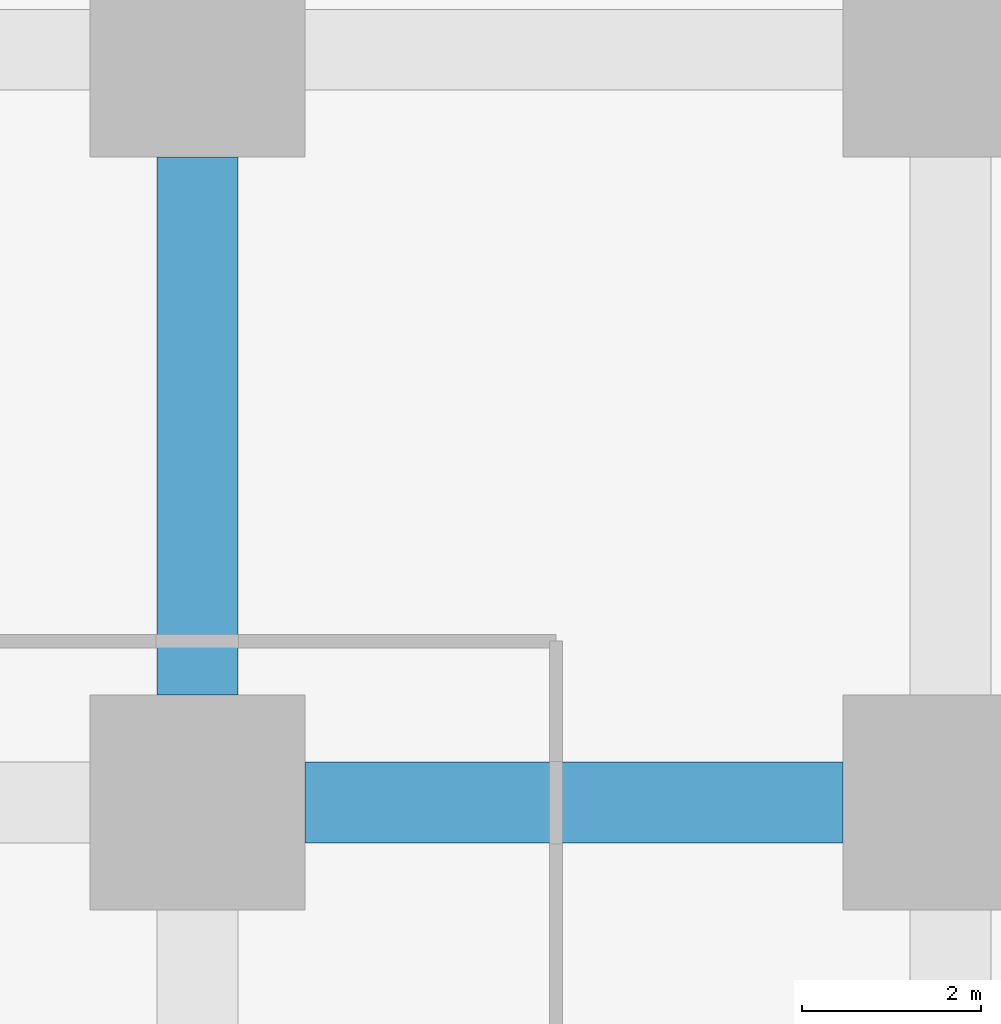
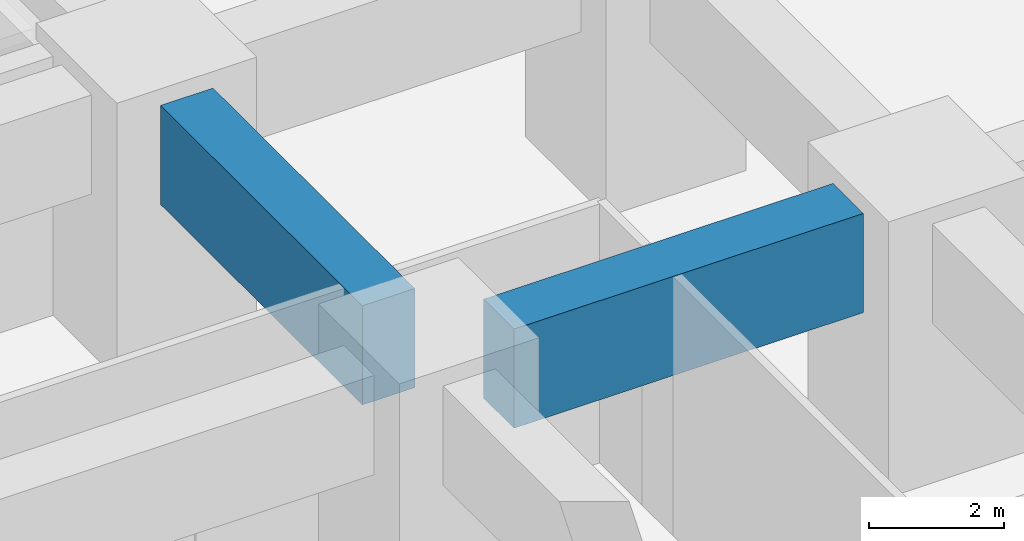
# One storey, part 10 of 48: 2 beams.
"""IFC4 building model written with IfcOpenShell, lengths in metres."""

from ifc_helpers import new_model, si_unit, direction, frame, origin, origin_2d, place, context, subcontext, project, spatial, rectangle, extrude, material, material_profile, profile_set, type_object, element, save


model = new_model("IFC4")

# Units and contexts
model_context = context("Model", 3, precision=1e-05, world=origin(), true_north=direction((0.0, 1.0)))
body_context = subcontext(model_context, "Body", "Model", "MODEL_VIEW")
ifc_project = project(units=[si_unit("LENGTHUNIT", "METRE"), si_unit("AREAUNIT", "SQUARE_METRE"), si_unit("VOLUMEUNIT", "CUBIC_METRE"), si_unit("PLANEANGLEUNIT", "RADIAN"), si_unit("MASSUNIT", "GRAM", prefix="KILO")], contexts=[model_context])

# Site, building, storey
site_placement = place(None, origin())
site = spatial("IfcSite", under=ifc_project, at=site_placement, CompositionType="ELEMENT")
building_placement = place(site_placement, origin())
building = spatial("IfcBuilding", under=site, at=building_placement, Name="Rekha Terrace Tower", CompositionType="ELEMENT")
storey_placement = place(building_placement, frame((0.0, 0.0, 15.39990234375)))
storey = spatial("IfcBuildingStorey", under=building, at=storey_placement, Name="L03", CompositionType="ELEMENT", Elevation=15.39990234375)

# Beams
ifc_material = material(Name="Concrete M60", Category="concrete")
ifc_material_profile = material_profile(ifc_material, rectangle(XDim=0.89990234375, YDim=1.800048828125, at=origin_2d()), Name="RC 900x1800")
ifc_profile_set = profile_set([ifc_material_profile], Name="Concrete M60")
beam_type = type_object("IfcBeamType", Name="G1 900x1800 podium floor beam", PredefinedType="BEAM", material=ifc_profile_set)
for number, where, z_axis, x_axis, name in (
    (1, (9.60009765625, 16.800048828125, 3.800048828125), (1.0, 0.0, 0.0), (0.0, 1.0, 0.0), "Beam G1 2C-3C under L04"),
    (2, (8.39990234375, 18.0, 3.800048828125), (0.0, 1.0, 0.0), (-1.0, 0.0, 0.0), "Beam G1 2C-2D under L04"),
):
    element("IfcBeam", number, at=place(storey_placement, frame(where, z_axis=z_axis, x_axis=x_axis)), inside=storey, type_object=beam_type, Name=name, PredefinedType="BEAM", context=body_context, shape_type="SweptSolid", body=[
        extrude(rectangle(XDim=0.89990234375, YDim=1.800048828125, at=origin_2d()), origin(), (0.0, 0.0, 1.0), 6.0),
    ])

save(model, "model.ifc")
